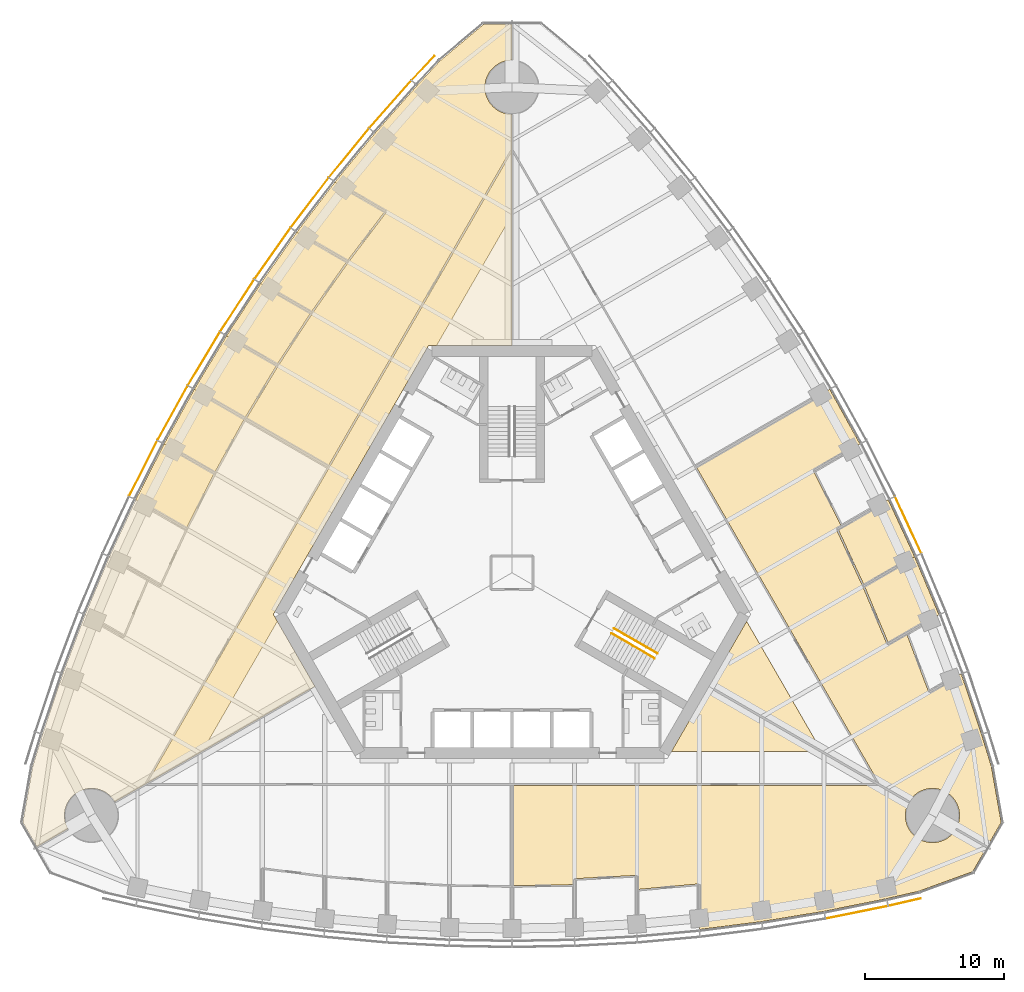
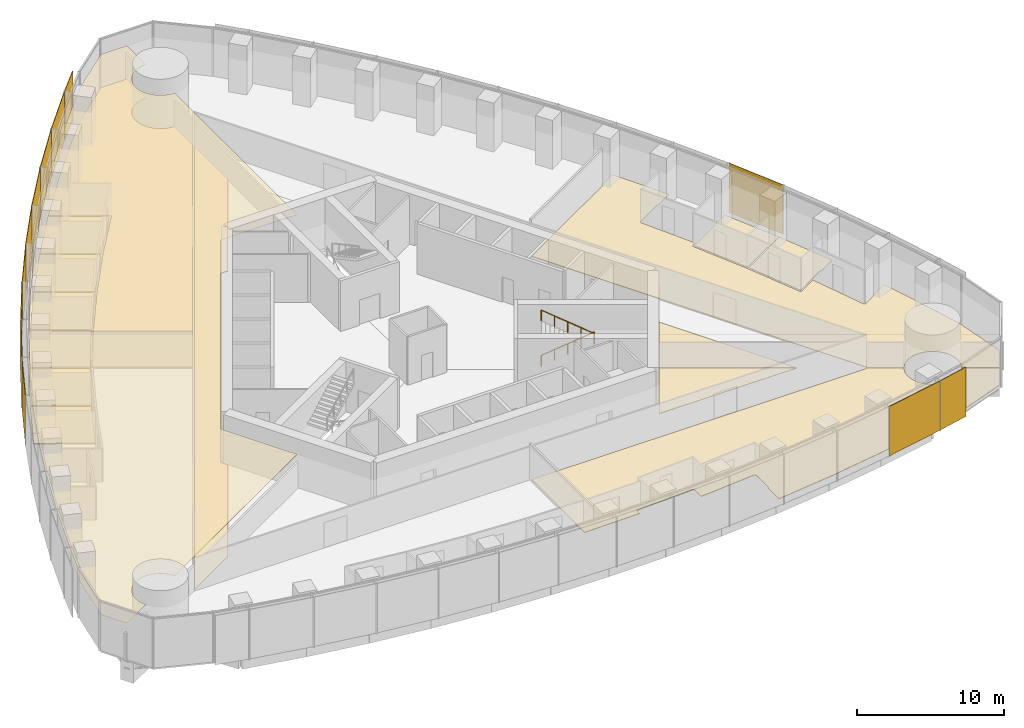
# One storey, part 16 of 19: 15 coverings, 12 shading devices, 2 railings.
"""IFC4 building model written with IfcOpenShell, lengths in metres."""

import ifcopenshell
import ifcopenshell.guid

model = None  # the IFC model being written
_history = None  # IfcOwnerHistory: only IFC2X3 demands one
_inside = {}  # id of a spatial element -> (the spatial element, [elements in it])
_under = {}  # id of a project, library or spatial element -> (it, [spatial elements below it])
_declared = {}  # id of a project -> (the project, [libraries it declares])
_typed = {}  # id of a type object -> (the type object, [elements of that type])
_made_of = {}  # id of a material, layer set ... -> (it, [elements and type objects made of it])


def new_model(schema):
    """Start an empty IFC model of exactly this schema.

    Asked for "IFC4X3", IfcOpenShell would pick the latest addendum, in which some entities
    have other attributes; the version numbers below select the first issue.
    IFC2X3 requires an IfcOwnerHistory on every rooted entity: one is made here for all.
    """
    global model, _history
    if schema == "IFC4X3":
        model = ifcopenshell.file(schema_version=(4, 3, 0, 0))
    else:
        model = ifcopenshell.file(schema=schema)
    _inside.clear()
    _under.clear()
    _declared.clear()
    _typed.clear()
    _made_of.clear()
    _history = None
    if model.schema == "IFC2X3":
        org = make("IfcOrganization", Name="unknown")
        user = make(
            "IfcPersonAndOrganization",
            ThePerson=make("IfcPerson", FamilyName="unknown"),
            TheOrganization=org,
        )
        app = make(
            "IfcApplication",
            ApplicationDeveloper=org,
            Version="unknown",
            ApplicationFullName="unknown",
            ApplicationIdentifier="unknown",
        )
        _history = make(
            "IfcOwnerHistory",
            OwningUser=user,
            OwningApplication=app,
            ChangeAction="ADDED",
            CreationDate=0,
        )
    return model


def make(cls, **values):
    """One entity of the class cls with the attributes given. An attribute that is None is left unset."""
    return model.create_entity(
        cls, **{name: value for name, value in values.items() if value is not None}
    )


def rooted(cls, **values):
    """An entity with a GlobalId (a new one), such as an element, a storey or a relation."""
    return make(cls, GlobalId=ifcopenshell.guid.new(), OwnerHistory=_history, **values)


def si_unit(unit_type, name, prefix=None):
    """IfcSIUnit, for example si_unit("LENGTHUNIT", "METRE", prefix="MILLI")."""
    return make("IfcSIUnit", UnitType=unit_type, Prefix=prefix, Name=name)


def assignment(units):
    """IfcUnitAssignment: the units of a project."""
    return None if units is None else make("IfcUnitAssignment", Units=units)


def point(xyz):
    """IfcCartesianPoint."""
    return None if xyz is None else make("IfcCartesianPoint", Coordinates=xyz)


def direction(xyz):
    """IfcDirection."""
    return None if xyz is None else make("IfcDirection", DirectionRatios=xyz)


def frame(location, z_axis=None, x_axis=None):
    """IfcAxis2Placement3D, a coordinate frame: its origin and axes. An axis left out is left unset."""
    return make(
        "IfcAxis2Placement3D",
        Location=point(location),
        Axis=direction(z_axis),
        RefDirection=direction(x_axis),
    )


def frame_2d(location, x_axis=None):
    """IfcAxis2Placement2D, a coordinate frame in the plane: its origin and x axis."""
    return make(
        "IfcAxis2Placement2D", Location=point(location), RefDirection=direction(x_axis)
    )


def origin():
    """The frame at (0, 0, 0) with its axes left unset."""
    return frame((0.0, 0.0, 0.0))


def origin_2d():
    """The frame at (0, 0) in the plane with its x axis left unset."""
    return frame_2d((0.0, 0.0))


def place(relative_to, where):
    """IfcLocalPlacement: puts the frame where relative to a parent placement (None: the world)."""
    return make(
        "IfcLocalPlacement", PlacementRelTo=relative_to, RelativePlacement=where
    )


def context(
    kind, dimensions, precision=None, world=None, true_north=None, identifier=None
):
    """IfcGeometricRepresentationContext, for example the 3D "Model" context."""
    return make(
        "IfcGeometricRepresentationContext",
        ContextIdentifier=identifier,
        ContextType=kind,
        CoordinateSpaceDimension=dimensions,
        Precision=precision,
        WorldCoordinateSystem=world,
        TrueNorth=true_north,
    )


def subcontext(parent, identifier, kind, view, scale=None):
    """IfcGeometricRepresentationSubContext, for example "Body" below "Model"."""
    return make(
        "IfcGeometricRepresentationSubContext",
        ContextIdentifier=identifier,
        ContextType=kind,
        ParentContext=parent,
        TargetScale=scale,
        TargetView=view,
    )


def project(units=None, contexts=None):
    """IfcProject with its units and contexts."""
    return rooted(
        "IfcProject",
        Name="project",
        RepresentationContexts=contexts,
        UnitsInContext=assignment(units),
    )


def spatial(cls, under=None, at=None, **own):
    """A site, building, storey or space (cls), placed at a placement, below another one or the project."""
    s = rooted(cls, ObjectPlacement=at, **own)
    if under is not None:
        _under.setdefault(under.id(), (under, []))[1].append(s)
    return s


def polyline(points):
    """IfcPolyline through the points."""
    return make("IfcPolyline", Points=[point(p) for p in points])


def profile(cls, at=None, kind="AREA", **sizes):
    """A parametric profile (cls). Its sizes go by their IFC names, for example OverallWidth=200.0."""
    return make(cls, ProfileType=kind, Position=at, **sizes)


def rectangle(**sizes):
    """IfcRectangleProfileDef."""
    return profile("IfcRectangleProfileDef", **sizes)


def circle(**sizes):
    """IfcCircleProfileDef."""
    return profile("IfcCircleProfileDef", **sizes)


def outline(outer, holes=None, kind="AREA"):
    """IfcArbitraryClosedProfileDef: a profile drawn as a closed curve; with holes, ...WithVoids."""
    if holes is None:
        return make("IfcArbitraryClosedProfileDef", ProfileType=kind, OuterCurve=outer)
    return make(
        "IfcArbitraryProfileDefWithVoids",
        ProfileType=kind,
        OuterCurve=outer,
        InnerCurves=holes,
    )


def extrude(swept, where, along, depth):
    """IfcExtrudedAreaSolid: the profile swept, set in the frame where, extruded along a direction by depth."""
    return make(
        "IfcExtrudedAreaSolid",
        SweptArea=swept,
        Position=where,
        ExtrudedDirection=direction(along),
        Depth=depth,
    )


def shape(context_of_items, identifier, shape_type, items):
    """IfcShapeRepresentation: the items that make up one representation, for example the "Body"."""
    return make(
        "IfcShapeRepresentation",
        ContextOfItems=context_of_items,
        RepresentationIdentifier=identifier,
        RepresentationType=shape_type,
        Items=items,
    )


def material(Name=None, Category=None):
    """IfcMaterial."""
    return make("IfcMaterial", Name=Name, Category=Category)


def layer(
    of_material, thickness, ventilated=None, Name=None, Category=None, Priority=None
):
    """IfcMaterialLayer: one layer of a wall or slab, of a material (None: an air gap)."""
    return make(
        "IfcMaterialLayer",
        Material=of_material,
        LayerThickness=thickness,
        IsVentilated=ventilated,
        Name=Name,
        Category=Category,
        Priority=Priority,
    )


def layer_set(layers, Name=None):
    """IfcMaterialLayerSet."""
    return make("IfcMaterialLayerSet", MaterialLayers=layers, LayerSetName=Name)


def made_of(thing, what):
    """Note that an element or type object is made of a material, layer set ...; save() writes the relation."""
    if what is not None:
        _made_of.setdefault(what.id(), (what, []))[1].append(thing)
    return thing


def type_object(cls, material=None, **own):
    """A type object (cls), such as IfcWallType, which elements share."""
    return made_of(rooted(cls, **own), material)


def element(
    cls,
    number,
    at=None,
    inside=None,
    cuts=None,
    type_object=None,
    material=None,
    context=None,
    identifier="Body",
    shape_type=None,
    held_by="IfcProductDefinitionShape",
    body=None,
    shapes=None,
    **own,
):
    """One element of the class cls, such as IfcWall. Its Tag is "e" and its number.

    at: its placement. inside: the storey or other place that contains it. cuts: it is an
    opening in that element (IfcRelVoidsElement). A single representation is given by context,
    identifier, shape_type and body (its items); several are given by shapes. held_by: the class
    of the entity that holds the representations. save() writes the other relations.
    """
    e = rooted(cls, Tag="e%d" % number, ObjectPlacement=at, **own)
    if body is not None:
        shapes = [shape(context, identifier, shape_type, body)]
    if shapes is not None:
        e.Representation = make(held_by, Representations=shapes)
    if inside is not None:
        _inside.setdefault(inside.id(), (inside, []))[1].append(e)
    if cuts is not None:
        rooted(
            "IfcRelVoidsElement", RelatingBuildingElement=cuts, RelatedOpeningElement=e
        )
    if type_object is not None:
        _typed.setdefault(type_object.id(), (type_object, []))[1].append(e)
    return made_of(e, material)


def aggregate(whole, parts):
    """IfcRelAggregates: a whole, such as a stair, and the parts it consists of."""
    return rooted("IfcRelAggregates", RelatingObject=whole, RelatedObjects=parts)


def save(model, path):
    """Write the relations noted so far, then the file.

    IfcRelAggregates (storeys below a building ...), IfcRelContainedInSpatialStructure (elements
    in a storey), IfcRelDefinesByType, IfcRelAssociatesMaterial and IfcRelDeclares: one each for
    every whole, place, type object, material and project.
    """
    for whole, parts in _under.values():
        aggregate(whole, parts)
    for where, things in _inside.values():
        rooted(
            "IfcRelContainedInSpatialStructure",
            RelatedElements=things,
            RelatingStructure=where,
        )
    for kind, things in _typed.values():
        rooted("IfcRelDefinesByType", RelatedObjects=things, RelatingType=kind)
    for what, things in _made_of.values():
        rooted("IfcRelAssociatesMaterial", RelatedObjects=things, RelatingMaterial=what)
    for by, libraries in _declared.values():
        rooted("IfcRelDeclares", RelatingContext=by, RelatedDefinitions=libraries)
    model.write(path)


model = new_model("IFC4")

# Units and contexts
model_context = context("Model", 3, precision=1e-05, world=origin(), true_north=direction((0.0, 1.0)))
body_context = subcontext(model_context, "Body", "Model", "MODEL_VIEW")
ifc_project = project(units=[si_unit("LENGTHUNIT", "METRE"), si_unit("AREAUNIT", "SQUARE_METRE"), si_unit("VOLUMEUNIT", "CUBIC_METRE"), si_unit("PLANEANGLEUNIT", "RADIAN"), si_unit("MASSUNIT", "GRAM", prefix="KILO")], contexts=[model_context])

# Site, building, storey
site_placement = place(None, origin())
site = spatial("IfcSite", under=ifc_project, at=site_placement, CompositionType="ELEMENT")
building_placement = place(site_placement, origin())
building = spatial("IfcBuilding", under=site, at=building_placement, Name="Trefoil Bronze Tower", CompositionType="ELEMENT")
storey_placement = place(building_placement, frame((0.0, 0.0, 128.300048828125)))
storey = spatial("IfcBuildingStorey", under=building, at=storey_placement, Name="L29", CompositionType="ELEMENT", Elevation=128.300048828125)

# Shading devices
ifc_material_1 = material(Name="Perforated bronze sheet", Category="bronze")
ifc_layer_1 = layer(ifc_material_1, 0.0400390625)
ifc_layer_set_1 = layer_set([ifc_layer_1], Name="Bronze solar screen panel")
shading_device_type = type_object("IfcShadingDeviceType", Name="Bronze solar screen panel", PredefinedType="SHUTTER", material=ifc_layer_set_1)
shading_device_1_placement = place(storey_placement, frame((24.85693359375, -24.480224609375, 0.0498046875), z_axis=(0.0, 0.0, 1.0), x_axis=(0.980155155547, 0.198231861853, 0.0)))
element("IfcShadingDevice", 1, at=shading_device_1_placement, inside=storey, type_object=shading_device_type, Name="Solar screen CW-A L29 F1 bay 13", PredefinedType="SHUTTER", context=body_context, shape_type="SweptSolid", body=[
    extrude(rectangle(XDim=4.56103515625, YDim=0.0400390625, at=origin_2d()), origin(), (0.0, 0.0, 1.0), 4.10009765625),
])
shading_device_2_placement = place(storey_placement, frame((28.30078125, -23.748779296875, 0.0498046875), z_axis=(0.0, 0.0, 1.0), x_axis=(0.97420444715, 0.225667222151, 0.0)))
element("IfcShadingDevice", 2, at=shading_device_2_placement, inside=storey, type_object=shading_device_type, Name="Solar screen CW-A L29 F1 bay 14", PredefinedType="SHUTTER", context=body_context, shape_type="SweptSolid", body=[
    extrude(rectangle(XDim=2.39013671875, YDim=0.0400390625, at=origin_2d()), origin(), (0.0, 0.0, 1.0), 4.10009765625),
])
shading_device_3_placement = place(storey_placement, frame((28.563720703125, 3.444580078125, 0.0498046875), z_axis=(0.0, 0.0, 1.0), x_axis=(-0.419932995871, 0.907555110712, 0.0)))
element("IfcShadingDevice", 3, at=shading_device_3_placement, inside=storey, type_object=shading_device_type, Name="Solar screen CW-A L29 F2 bay 5", PredefinedType="SHUTTER", context=body_context, shape_type="SweptSolid", body=[
    extrude(rectangle(XDim=4.48828125, YDim=0.0400390625, at=origin_2d()), origin(), (0.0, 0.0, 1.0), 4.10009765625),
])
shading_device_4_placement = place(storey_placement, frame((-6.416748046875, 36.383544921875, 0.0498046875), z_axis=(0.0, 0.0, 1.0), x_axis=(-0.682535770759, -0.730852188636, 0.0)))
element("IfcShadingDevice", 4, at=shading_device_4_placement, inside=storey, type_object=shading_device_type, Name="Solar screen CW-A L29 F3 bay 1", PredefinedType="SHUTTER", context=body_context, shape_type="SweptSolid", body=[
    extrude(rectangle(XDim=2.39013671875, YDim=0.0400390625, at=origin_2d()), origin(), (0.0, 0.0, 1.0), 4.10009765625),
])
shading_device_5_placement = place(storey_placement, frame((-8.77197265625, 33.766845703125, 0.0498046875), z_axis=(0.0, 0.0, 1.0), x_axis=(-0.661751405978, -0.749723333428, 0.0)))
element("IfcShadingDevice", 5, at=shading_device_5_placement, inside=storey, type_object=shading_device_type, Name="Solar screen CW-A L29 F3 bay 2", PredefinedType="SHUTTER", context=body_context, shape_type="SweptSolid", body=[
    extrude(rectangle(XDim=4.56103515625, YDim=0.0400390625, at=origin_2d()), origin(), (0.0, 0.0, 1.0), 4.10009765625),
])
shading_device_6_placement = place(storey_placement, frame((-11.7490234375, 30.26708984375, 0.0498046875), z_axis=(0.0, 0.0, 1.0), x_axis=(-0.633839916024, -0.773464259584, 0.0)))
element("IfcShadingDevice", 6, at=shading_device_6_placement, inside=storey, type_object=shading_device_type, Name="Solar screen CW-A L29 F3 bay 3", PredefinedType="SHUTTER", context=body_context, shape_type="SweptSolid", body=[
    extrude(rectangle(XDim=4.5302734375, YDim=0.0400390625, at=origin_2d()), origin(), (0.0, 0.0, 1.0), 4.10009765625),
])
shading_device_7_placement = place(storey_placement, frame((-14.579345703125, 26.6826171875, 0.0498046875), z_axis=(0.0, 0.0, 1.0), x_axis=(-0.605252319983, -0.796033685943, 0.0)))
element("IfcShadingDevice", 7, at=shading_device_7_placement, inside=storey, type_object=shading_device_type, Name="Solar screen CW-A L29 F3 bay 4", PredefinedType="SHUTTER", context=body_context, shape_type="SweptSolid", body=[
    extrude(rectangle(XDim=4.50634765625, YDim=0.0400390625, at=origin_2d()), origin(), (0.0, 0.0, 1.0), 4.10009765625),
])
shading_device_8_placement = place(storey_placement, frame((-17.264892578125, 23.014404296875, 0.0498046875), z_axis=(0.0, 0.0, 1.0), x_axis=(-0.575999283275, -0.817450197667, 0.0)))
element("IfcShadingDevice", 8, at=shading_device_8_placement, inside=storey, type_object=shading_device_type, Name="Solar screen CW-A L29 F3 bay 5", PredefinedType="SHUTTER", context=body_context, shape_type="SweptSolid", body=[
    extrude(rectangle(XDim=4.48828125, YDim=0.0400390625, at=origin_2d()), origin(), (0.0, 0.0, 1.0), 4.10009765625),
])
shading_device_9_placement = place(storey_placement, frame((-19.8076171875, 19.263916015625, 0.0498046875), z_axis=(0.0, 0.0, 1.0), x_axis=(-0.546088612237, -0.837727418427, 0.0)))
element("IfcShadingDevice", 9, at=shading_device_9_placement, inside=storey, type_object=shading_device_type, Name="Solar screen CW-A L29 F3 bay 6", PredefinedType="SHUTTER", context=body_context, shape_type="SweptSolid", body=[
    extrude(rectangle(XDim=4.4765625, YDim=0.0400390625, at=origin_2d()), origin(), (0.0, 0.0, 1.0), 4.10009765625),
])
for number, where, z_axis, x_axis, name in (
    (10, (-22.208740234375, 15.431396484375, 0.0498046875), (0.0, 0.0, 1.0), (-0.515525413486, -0.856874289526, 0.0), "Solar screen CW-A L29 F3 bay 7"),
    (11, (-24.468505859375, 11.517578125, 0.0498046875), (0.0, 0.0, 1.0), (-0.484312195836, -0.874895249138, 0.0), "Solar screen CW-A L29 F3 bay 8"),
):
    element("IfcShadingDevice", number, at=place(storey_placement, frame(where, z_axis=z_axis, x_axis=x_axis)), inside=storey, type_object=shading_device_type, Name=name, PredefinedType="SHUTTER", context=body_context, shape_type="SweptSolid", body=[
        extrude(rectangle(XDim=4.470703125, YDim=0.0400390625, at=origin_2d()), origin(), (0.0, 0.0, 1.0), 4.10009765625),
    ])
shading_device_10_placement = place(storey_placement, frame((-26.5869140625, 7.52197265625, 0.0498046875), z_axis=(0.0, 0.0, 1.0), x_axis=(-0.452448919686, -0.891790320128, 0.0)))
element("IfcShadingDevice", 12, at=shading_device_10_placement, inside=storey, type_object=shading_device_type, Name="Solar screen CW-A L29 F3 bay 9", PredefinedType="SHUTTER", context=body_context, shape_type="SweptSolid", body=[
    extrude(rectangle(XDim=4.4765625, YDim=0.0400390625, at=origin_2d()), origin(), (0.0, 0.0, 1.0), 4.10009765625),
])

# Railings
ifc_material_2 = material(Name="Steel handrail", Category="steel")
railing_type = type_object("IfcRailingType", Name="Handrail 900", PredefinedType="HANDRAIL", material=ifc_material_2)
railing_1_placement = place(storey_placement, frame((7.365966796875, -4.021728515625, 0.161376953125)))
element("IfcRailing", 13, at=railing_1_placement, inside=storey, type_object=railing_type, Name="Handrail ST1 flight 1 L29", PredefinedType="HANDRAIL", context=body_context, shape_type="SweptSolid", body=[
    extrude(circle(Radius=0.02392578125, at=origin_2d()), frame((0.0, 0.0, 0.8759765625), z_axis=(0.76250339821, -0.440245697338, 0.474101564745), x_axis=(0.500012057535, 0.866018442252, 0.0)), (0.0, 0.0, 1.0), 4.088623046875),
    extrude(circle(Radius=0.02099609375, at=origin_2d()), origin(), (0.0, 0.0, 1.0), 0.851806640625),
    extrude(circle(Radius=0.02099609375, at=origin_2d()), frame((0.779296875, -0.449951171875, 0.484619140625)), (0.0, 0.0, 1.0), 0.851806640625),
    extrude(circle(Radius=0.02099609375, at=origin_2d()), frame((1.558837890625, -0.89990234375, 0.96923828125)), (0.0, 0.0, 1.0), 0.851806640625),
    extrude(circle(Radius=0.02099609375, at=origin_2d()), frame((2.33837890625, -1.35009765625, 1.453857421875)), (0.0, 0.0, 1.0), 0.851806640625),
    extrude(circle(Radius=0.02099609375, at=origin_2d()), frame((3.11767578125, -1.800048828125, 1.9384765625)), (0.0, 0.0, 1.0), 0.851806640625),
])
railing_2_placement = place(storey_placement, frame((10.28369140625, -6.168212890625, 2.261474609375)))
element("IfcRailing", 14, at=railing_2_placement, inside=storey, type_object=railing_type, Name="Handrail ST1 flight 2 L29", PredefinedType="HANDRAIL", context=body_context, shape_type="SweptSolid", body=[
    extrude(circle(Radius=0.02392578125, at=origin_2d()), frame((0.0, 0.0, 0.8759765625), z_axis=(-0.76250339821, 0.440245697338, 0.474101564745), x_axis=(-0.500012057535, -0.866018442252, 0.0)), (0.0, 0.0, 1.0), 4.088623046875),
    extrude(circle(Radius=0.02099609375, at=origin_2d()), origin(), (0.0, 0.0, 1.0), 0.851806640625),
    extrude(circle(Radius=0.02099609375, at=origin_2d()), frame((-0.779296875, 0.449951171875, 0.484619140625)), (0.0, 0.0, 1.0), 0.851806640625),
    extrude(circle(Radius=0.02099609375, at=origin_2d()), frame((-1.558837890625, 0.89990234375, 0.96923828125)), (0.0, 0.0, 1.0), 0.851806640625),
    extrude(circle(Radius=0.02099609375, at=origin_2d()), frame((-2.33837890625, 1.35009765625, 1.453857421875)), (0.0, 0.0, 1.0), 0.851806640625),
    extrude(circle(Radius=0.02099609375, at=origin_2d()), frame((-3.11767578125, 1.800048828125, 1.9384765625)), (0.0, 0.0, 1.0), 0.851806640625),
])

# Coverings
ifc_material_3 = material(Name="Acoustic ceiling panels", Category="mineral fibre")
ifc_layer_2 = layer(ifc_material_3, 0.02001953125)
ifc_layer_set_2 = layer_set([ifc_layer_2], Name="Office ceiling 20")
covering_type_1 = type_object("IfcCoveringType", Name="Office ceiling 20", PredefinedType="CEILING", material=ifc_layer_set_2)
covering_1_placement = place(storey_placement, frame((0.0, 0.0, 2.89990234375)))
element("IfcCovering", 15, at=covering_1_placement, inside=storey, type_object=covering_type_1, Name="Ceiling L29 Open-plan office F3", PredefinedType="CEILING", context=body_context, shape_type="SweptSolid", body=[
    extrude(outline(polyline([(-33.847900390625, -11.634765625), (-32.385986328125, -7.28271484375), (-30.776611328125, -3.015625), (-29.022216796875, 1.16748046875), (-27.124755859375, 5.268310546875), (-25.085693359375, 9.287109375), (-22.906005859375, 13.224853515625), (-20.585693359375, 17.081298828125), (-18.124755859375, 20.856689453125), (-15.522216796875, 24.55029296875), (-12.776611328125, 28.1611328125), (-9.885986328125, 31.6884765625), (-6.847900390625, 35.130615234375), (-5.1962890625, 36.8994140625), (-2.052001953125, 39.53759765625), (-0.014892578125, 39.53759765625), (-0.013916015625, 36.94970703125), (-0.095703125, 36.94775390625), (-0.191162109375, 36.940673828125), (-0.2861328125, 36.928955078125), (-0.38037109375, 36.91259765625), (-0.473876953125, 36.8916015625), (-0.566162109375, 36.865966796875), (-0.656982421875, 36.8359375), (-0.74609375, 36.801513671875), (-0.833740234375, 36.7626953125), (-0.919189453125, 36.7197265625), (-1.00244140625, 36.672607421875), (-1.08349609375, 36.621337890625), (-1.16162109375, 36.56640625), (-1.237060546875, 36.50732421875), (-1.3095703125, 36.44482421875), (-1.37890625, 36.37890625), (-1.44482421875, 36.3095703125), (-1.50732421875, 36.237060546875), (-1.56640625, 36.16162109375), (-1.621337890625, 36.08349609375), (-1.672607421875, 36.00244140625), (-1.7197265625, 35.919189453125), (-1.7626953125, 35.833740234375), (-1.801513671875, 35.74609375), (-1.8359375, 35.656982421875), (-1.865966796875, 35.566162109375), (-1.8916015625, 35.473876953125), (-1.91259765625, 35.38037109375), (-1.928955078125, 35.2861328125), (-1.940673828125, 35.191162109375), (-1.94775390625, 35.095703125), (-1.949951171875, 35.0), (-1.94775390625, 34.904296875), (-1.940673828125, 34.808837890625), (-1.928955078125, 34.7138671875), (-1.91259765625, 34.61962890625), (-1.8916015625, 34.526123046875), (-1.865966796875, 34.433837890625), (-1.8359375, 34.343017578125), (-1.801513671875, 34.25390625), (-1.7626953125, 34.166259765625), (-1.7197265625, 34.080810546875), (-1.672607421875, 33.99755859375), (-1.621337890625, 33.91650390625), (-1.56640625, 33.83837890625), (-1.50732421875, 33.762939453125), (-1.44482421875, 33.6904296875), (-1.37890625, 33.62109375), (-1.3095703125, 33.55517578125), (-1.237060546875, 33.49267578125), (-1.16162109375, 33.43359375), (-1.08349609375, 33.378662109375), (-1.00244140625, 33.327392578125), (-0.919189453125, 33.2802734375), (-0.833740234375, 33.2373046875), (-0.74609375, 33.198486328125), (-0.656982421875, 33.1640625), (-0.566162109375, 33.134033203125), (-0.473876953125, 33.1083984375), (-0.38037109375, 33.08740234375), (-0.2861328125, 33.071044921875), (-0.191162109375, 33.059326171875), (-0.095703125, 33.05224609375), (-0.012451171875, 33.05029296875), (-0.006103515625, 16.39990234375), (-6.00439453125, 16.39990234375), (-17.205078125, -3.0), (-14.205810546875, -8.194580078125), (-28.628662109375, -16.514404296875), (-28.689453125, -16.41650390625), (-28.74462890625, -16.33837890625), (-28.803466796875, -16.262939453125), (-28.865966796875, -16.1904296875), (-28.931884765625, -16.12109375), (-29.001220703125, -16.05517578125), (-29.07373046875, -15.99267578125), (-29.1494140625, -15.93359375), (-29.2275390625, -15.878662109375), (-29.308349609375, -15.827392578125), (-29.3916015625, -15.7802734375), (-29.477294921875, -15.7373046875), (-29.564697265625, -15.698486328125), (-29.654052734375, -15.6640625), (-29.744873046875, -15.634033203125), (-29.837158203125, -15.6083984375), (-29.930419921875, -15.58740234375), (-30.02490234375, -15.571044921875), (-30.119873046875, -15.559326171875), (-30.215087890625, -15.55224609375), (-30.310791015625, -15.550048828125), (-30.406494140625, -15.55224609375), (-30.501953125, -15.559326171875), (-30.596923828125, -15.571044921875), (-30.69140625, -15.58740234375), (-30.78466796875, -15.6083984375), (-30.876953125, -15.634033203125), (-30.9677734375, -15.6640625), (-31.05712890625, -15.698486328125), (-31.14453125, -15.7373046875), (-31.22998046875, -15.7802734375), (-31.3134765625, -15.827392578125), (-31.394287109375, -15.878662109375), (-31.472412109375, -15.93359375), (-31.548095703125, -15.99267578125), (-31.620361328125, -16.05517578125), (-31.689697265625, -16.12109375), (-31.755615234375, -16.1904296875), (-31.818359375, -16.262939453125), (-31.877197265625, -16.33837890625), (-31.932373046875, -16.41650390625), (-31.9833984375, -16.49755859375), (-32.030517578125, -16.580810546875), (-32.07373046875, -16.666259765625), (-32.112548828125, -16.75390625), (-32.14697265625, -16.843017578125), (-32.177001953125, -16.933837890625), (-32.202392578125, -17.026123046875), (-32.223388671875, -17.11962890625), (-32.23974609375, -17.2138671875), (-32.25146484375, -17.308837890625), (-32.258544921875, -17.404296875), (-32.260986328125, -17.5), (-32.258544921875, -17.595703125), (-32.25146484375, -17.691162109375), (-32.23974609375, -17.7861328125), (-32.223388671875, -17.88037109375), (-32.202392578125, -17.973876953125), (-32.177001953125, -18.066162109375), (-32.14697265625, -18.156982421875), (-32.112548828125, -18.24609375), (-32.07373046875, -18.333740234375), (-32.030517578125, -18.419189453125), (-32.006103515625, -18.462646484375), (-34.247802734375, -19.755859375), (-35.2666015625, -17.99169921875), (-34.5537109375, -13.94970703125), (-33.847900390625, -11.634765625)])), origin(), (0.0, 0.0, 1.0), 0.02001953125),
])
ifc_material_4 = material(Name="Raised access floor panels", Category="steel")
ifc_layer_3 = layer(ifc_material_4, 0.050048828125)
ifc_layer_set_3 = layer_set([ifc_layer_3], Name="Raised access floor 150")
covering_type_2 = type_object("IfcCoveringType", Name="Raised access floor 150", PredefinedType="FLOORING", material=ifc_layer_set_3)
covering_2_placement = place(storey_placement, frame((0.0, 0.0, 0.099853515625)))
element("IfcCovering", 16, at=covering_2_placement, inside=storey, type_object=covering_type_2, Name="Raised floor L29 Open-plan office F1", PredefinedType="FLOORING", context=body_context, shape_type="SweptSolid", body=[
    extrude(outline(polyline([(13.5, -24.22900390625), (13.56005859375, -24.22900390625), (13.56005859375, -22.48779296875), (13.5, -22.48779296875), (13.49462890625, -22.427978515625), (9.06005859375, -22.829345703125), (9.06005859375, -21.875), (9.0, -21.875), (8.996826171875, -21.81494140625), (4.496826171875, -22.05859375), (4.5, -22.11865234375), (4.43994140625, -22.11865234375), (4.43994140625, -22.484619140625), (0.074951171875, -22.563232421875), (0.074951171875, -15.320068359375), (26.398193359375, -15.320068359375), (26.398193359375, -15.254150390625), (28.616455078125, -16.535888671875), (28.591064453125, -16.580810546875), (28.548095703125, -16.666259765625), (28.50927734375, -16.75390625), (28.474853515625, -16.843017578125), (28.44482421875, -16.933837890625), (28.419189453125, -17.026123046875), (28.3984375, -17.11962890625), (28.382080078125, -17.2138671875), (28.370361328125, -17.308837890625), (28.36328125, -17.404296875), (28.36083984375, -17.5), (28.36328125, -17.595703125), (28.370361328125, -17.691162109375), (28.382080078125, -17.7861328125), (28.3984375, -17.88037109375), (28.419189453125, -17.973876953125), (28.44482421875, -18.066162109375), (28.474853515625, -18.156982421875), (28.50927734375, -18.24609375), (28.548095703125, -18.333740234375), (28.591064453125, -18.419189453125), (28.63818359375, -18.50244140625), (28.689453125, -18.58349609375), (28.74462890625, -18.66162109375), (28.803466796875, -18.737060546875), (28.865966796875, -18.8095703125), (28.931884765625, -18.87890625), (29.001220703125, -18.94482421875), (29.07373046875, -19.00732421875), (29.1494140625, -19.06640625), (29.2275390625, -19.121337890625), (29.308349609375, -19.172607421875), (29.3916015625, -19.2197265625), (29.477294921875, -19.2626953125), (29.564697265625, -19.301513671875), (29.654052734375, -19.3359375), (29.744873046875, -19.365966796875), (29.837158203125, -19.3916015625), (29.930419921875, -19.41259765625), (30.02490234375, -19.428955078125), (30.119873046875, -19.440673828125), (30.215087890625, -19.44775390625), (30.310791015625, -19.449951171875), (30.406494140625, -19.44775390625), (30.501953125, -19.440673828125), (30.596923828125, -19.428955078125), (30.69140625, -19.41259765625), (30.78466796875, -19.3916015625), (30.876953125, -19.365966796875), (30.9677734375, -19.3359375), (31.05712890625, -19.301513671875), (31.14453125, -19.2626953125), (31.22998046875, -19.2197265625), (31.3134765625, -19.172607421875), (31.394287109375, -19.121337890625), (31.472412109375, -19.06640625), (31.548095703125, -19.00732421875), (31.620361328125, -18.94482421875), (31.689697265625, -18.87890625), (31.755615234375, -18.8095703125), (31.818359375, -18.737060546875), (31.877197265625, -18.66162109375), (31.932373046875, -18.58349609375), (31.992431640625, -18.48681640625), (34.233154296875, -19.781494140625), (33.21435546875, -21.5458984375), (29.357666015625, -22.94970703125), (27.0, -23.495849609375), (22.5, -24.406005859375), (18.0, -25.1455078125), (13.5, -25.7177734375), (13.5, -24.22900390625)])), origin(), (0.0, 0.0, 1.0), 0.050048828125),
])
covering_3_placement = place(storey_placement, frame((0.0, 0.0, 0.099853515625)))
element("IfcCovering", 17, at=covering_3_placement, inside=storey, type_object=covering_type_2, Name="Raised floor L29 Open-plan office F1", PredefinedType="FLOORING", context=body_context, shape_type="SweptSolid", body=[
    extrude(outline(polyline([(11.4892578125, -12.89990234375), (14.19970703125, -8.205322265625), (22.32421875, -12.89990234375), (11.4892578125, -12.89990234375)])), origin(), (0.0, 0.0, 1.0), 0.050048828125),
])
covering_4_placement = place(storey_placement, frame((0.0, 0.0, 0.099853515625)))
element("IfcCovering", 18, at=covering_4_placement, inside=storey, type_object=covering_type_2, Name="Raised floor L29 Meeting room F2", PredefinedType="FLOORING", context=body_context, shape_type="SweptSolid", body=[
    extrude(outline(polyline([(27.124755859375, 5.268310546875), (29.022216796875, 1.16748046875), (27.73291015625, 0.423095703125), (27.702880859375, 0.47509765625), (25.368408203125, -0.87255859375), (23.521728515625, 3.11865234375), (25.869873046875, 4.474365234375), (25.83984375, 4.5263671875), (27.124755859375, 5.268310546875)])), origin(), (0.0, 0.0, 1.0), 0.050048828125),
])
covering_5_placement = place(storey_placement, frame((0.0, 0.0, 0.099853515625)))
element("IfcCovering", 19, at=covering_5_placement, inside=storey, type_object=covering_type_2, Name="Raised floor L29 Meeting room F2", PredefinedType="FLOORING", context=body_context, shape_type="SweptSolid", body=[
    extrude(outline(polyline([(29.022216796875, 1.16748046875), (30.776611328125, -3.015625), (29.4814453125, -3.763427734375), (29.451416015625, -3.71142578125), (27.125, -5.0546875), (25.41748046875, -0.98291015625), (27.762939453125, 0.371337890625), (27.73291015625, 0.423095703125), (29.022216796875, 1.16748046875)])), origin(), (0.0, 0.0, 1.0), 0.050048828125),
])
covering_6_placement = place(storey_placement, frame((0.0, 0.0, 0.099853515625)))
element("IfcCovering", 20, at=covering_6_placement, inside=storey, type_object=covering_type_2, Name="Raised floor L29 Open-plan office F2", PredefinedType="FLOORING", context=body_context, shape_type="SweptSolid", body=[
    extrude(outline(polyline([(14.205810546875, -8.194580078125), (16.91650390625, -3.5), (22.333740234375, -12.88330078125), (14.205810546875, -8.194580078125)])), origin(), (0.0, 0.0, 1.0), 0.050048828125),
])
covering_7_placement = place(storey_placement, frame((0.0, 0.0, 0.099853515625)))
element("IfcCovering", 21, at=covering_7_placement, inside=storey, type_object=covering_type_2, Name="Raised floor L29 Open-plan office F2", PredefinedType="FLOORING", context=body_context, shape_type="SweptSolid", body=[
    extrude(outline(polyline([(26.40966796875, -15.234375), (26.466552734375, -15.201416015625), (13.304931640625, 7.594970703125), (21.661865234375, 12.419921875), (21.625, 12.48388671875), (22.906494140625, 13.22412109375), (25.085693359375, 9.287109375), (23.80322265625, 8.546630859375), (23.773193359375, 8.5986328125), (21.743408203125, 7.426513671875), (21.773193359375, 7.374755859375), (21.7197265625, 7.347412109375), (23.733154296875, 3.37939453125), (23.414306640625, 3.1953125), (23.444091796875, 3.143310546875), (23.389892578125, 3.117919921875), (25.28662109375, -0.981689453125), (27.040771484375, -5.163818359375), (27.09619140625, -5.140625), (27.126220703125, -5.192626953125), (28.46337890625, -4.42041015625), (30.048095703125, -8.621337890625), (30.104248046875, -8.60009765625), (30.13427734375, -8.652099609375), (31.11328125, -8.0869140625), (31.083251953125, -8.034912109375), (32.385986328125, -7.28271484375), (33.847900390625, -11.634765625), (34.5537109375, -13.94970703125), (35.2666015625, -17.99169921875), (34.247802734375, -19.755859375), (32.006103515625, -18.462646484375), (32.030517578125, -18.419189453125), (32.07373046875, -18.333740234375), (32.112548828125, -18.24609375), (32.14697265625, -18.156982421875), (32.177001953125, -18.066162109375), (32.202392578125, -17.973876953125), (32.223388671875, -17.88037109375), (32.23974609375, -17.7861328125), (32.25146484375, -17.691162109375), (32.258544921875, -17.595703125), (32.260986328125, -17.5), (32.258544921875, -17.404296875), (32.25146484375, -17.308837890625), (32.23974609375, -17.2138671875), (32.223388671875, -17.11962890625), (32.202392578125, -17.026123046875), (32.177001953125, -16.933837890625), (32.14697265625, -16.843017578125), (32.112548828125, -16.75390625), (32.07373046875, -16.666259765625), (32.030517578125, -16.580810546875), (31.9833984375, -16.49755859375), (31.932373046875, -16.41650390625), (31.877197265625, -16.33837890625), (31.818359375, -16.262939453125), (31.755615234375, -16.1904296875), (31.689697265625, -16.12109375), (31.620361328125, -16.05517578125), (31.548095703125, -15.99267578125), (31.472412109375, -15.93359375), (31.394287109375, -15.878662109375), (31.3134765625, -15.827392578125), (31.22998046875, -15.7802734375), (31.14453125, -15.7373046875), (31.05712890625, -15.698486328125), (30.9677734375, -15.6640625), (30.876953125, -15.634033203125), (30.78466796875, -15.6083984375), (30.69140625, -15.58740234375), (30.596923828125, -15.571044921875), (30.501953125, -15.559326171875), (30.406494140625, -15.55224609375), (30.310791015625, -15.550048828125), (30.215087890625, -15.55224609375), (30.119873046875, -15.559326171875), (30.02490234375, -15.571044921875), (29.930419921875, -15.58740234375), (29.837158203125, -15.6083984375), (29.744873046875, -15.634033203125), (29.654052734375, -15.6640625), (29.564697265625, -15.698486328125), (29.477294921875, -15.7373046875), (29.3916015625, -15.7802734375), (29.308349609375, -15.827392578125), (29.2275390625, -15.878662109375), (29.1494140625, -15.93359375), (29.07373046875, -15.99267578125), (29.001220703125, -16.05517578125), (28.931884765625, -16.12109375), (28.865966796875, -16.1904296875), (28.803466796875, -16.262939453125), (28.74462890625, -16.33837890625), (28.689453125, -16.41650390625), (28.628662109375, -16.514404296875), (26.40966796875, -15.234375)])), origin(), (0.0, 0.0, 1.0), 0.050048828125),
])
covering_8_placement = place(storey_placement, frame((0.0, 0.0, 0.099853515625)))
element("IfcCovering", 22, at=covering_8_placement, inside=storey, type_object=covering_type_2, Name="Raised floor L29 Office F3", PredefinedType="FLOORING", context=body_context, shape_type="SweptSolid", body=[
    extrude(outline(polyline([(-15.522216796875, 24.55029296875), (-12.776611328125, 28.1611328125), (-11.4814453125, 27.41357421875), (-11.511474609375, 27.361572265625), (-9.18505859375, 26.018310546875), (-11.857421875, 22.503662109375), (-14.202880859375, 23.85791015625), (-14.23291015625, 23.805908203125), (-15.522216796875, 24.55029296875)])), origin(), (0.0, 0.0, 1.0), 0.050048828125),
])
covering_9_placement = place(storey_placement, frame((0.0, 0.0, 0.099853515625)))
element("IfcCovering", 23, at=covering_9_placement, inside=storey, type_object=covering_type_2, Name="Raised floor L29 Office F3", PredefinedType="FLOORING", context=body_context, shape_type="SweptSolid", body=[
    extrude(outline(polyline([(-15.522216796875, 24.55029296875), (-14.23291015625, 23.805908203125), (-14.262939453125, 23.75390625), (-11.928466796875, 22.406005859375), (-14.461669921875, 18.81103515625), (-16.809814453125, 20.166748046875), (-16.83984375, 20.11474609375), (-18.124755859375, 20.856689453125), (-15.522216796875, 24.55029296875)])), origin(), (0.0, 0.0, 1.0), 0.050048828125),
])
covering_10_placement = place(storey_placement, frame((0.0, 0.0, 0.099853515625)))
element("IfcCovering", 24, at=covering_10_placement, inside=storey, type_object=covering_type_2, Name="Raised floor L29 Office F3", PredefinedType="FLOORING", context=body_context, shape_type="SweptSolid", body=[
    extrude(outline(polyline([(-18.124755859375, 20.856689453125), (-16.83984375, 20.11474609375), (-16.869873046875, 20.062744140625), (-14.529052734375, 18.71142578125), (-16.924560546875, 15.036865234375), (-19.273193359375, 16.392822265625), (-19.30322265625, 16.3408203125), (-20.585693359375, 17.081298828125), (-18.124755859375, 20.856689453125)])), origin(), (0.0, 0.0, 1.0), 0.050048828125),
])
covering_11_placement = place(storey_placement, frame((0.0, 0.0, 0.099853515625)))
element("IfcCovering", 25, at=covering_11_placement, inside=storey, type_object=covering_type_2, Name="Raised floor L29 Office F3", PredefinedType="FLOORING", context=body_context, shape_type="SweptSolid", body=[
    extrude(outline(polyline([(-22.906005859375, 13.224853515625), (-20.585693359375, 17.081298828125), (-19.30322265625, 16.3408203125), (-19.333251953125, 16.2890625), (-16.988037109375, 14.93505859375), (-19.23876953125, 11.194091796875), (-21.5869140625, 12.5498046875), (-21.62451171875, 12.48486328125), (-22.906005859375, 13.224853515625)])), origin(), (0.0, 0.0, 1.0), 0.050048828125),
])
covering_12_placement = place(storey_placement, frame((0.0, 0.0, 0.099853515625)))
element("IfcCovering", 26, at=covering_12_placement, inside=storey, type_object=covering_type_2, Name="Raised floor L29 Office F3", PredefinedType="FLOORING", context=body_context, shape_type="SweptSolid", body=[
    extrude(outline(polyline([(-25.085693359375, 9.287109375), (-22.906005859375, 13.224853515625), (-21.62451171875, 12.48486328125), (-21.661865234375, 12.419921875), (-19.313720703125, 11.064208984375), (-21.427978515625, 7.24462890625), (-23.773193359375, 8.5986328125), (-23.80322265625, 8.546630859375), (-25.085693359375, 9.287109375)])), origin(), (0.0, 0.0, 1.0), 0.050048828125),
])
covering_13_placement = place(storey_placement, frame((0.0, 0.0, 0.099853515625)))
element("IfcCovering", 27, at=covering_13_placement, inside=storey, type_object=covering_type_2, Name="Raised floor L29 Meeting room F3", PredefinedType="FLOORING", context=body_context, shape_type="SweptSolid", body=[
    extrude(outline(polyline([(-27.124755859375, 5.268310546875), (-25.085693359375, 9.287109375), (-23.80322265625, 8.546630859375), (-23.833251953125, 8.49462890625), (-21.484619140625, 7.138671875), (-23.468994140625, 3.226806640625), (-25.809814453125, 4.578369140625), (-25.83984375, 4.5263671875), (-27.124755859375, 5.268310546875)])), origin(), (0.0, 0.0, 1.0), 0.050048828125),
])
covering_14_placement = place(storey_placement, frame((0.0, 0.0, 0.099853515625)))
element("IfcCovering", 28, at=covering_14_placement, inside=storey, type_object=covering_type_2, Name="Raised floor L29 Corridor F3", PredefinedType="FLOORING", context=body_context, shape_type="SweptSolid", body=[
    extrude(outline(polyline([(-0.011474609375, 30.38037109375), (-0.009765625, 25.783203125), (-5.427001953125, 16.39990234375), (-6.00439453125, 16.39990234375), (-17.205078125, -3.0), (-16.91650390625, -3.5), (-22.333740234375, -12.88330078125), (-26.31591796875, -15.180419921875), (-0.011474609375, 30.38037109375)])), origin(), (0.0, 0.0, 1.0), 0.050048828125),
])
covering_15_placement = place(storey_placement, frame((0.0, 0.0, 0.099853515625)))
element("IfcCovering", 29, at=covering_15_placement, inside=storey, type_object=covering_type_2, Name="Raised floor L29 Open-plan office F3", PredefinedType="FLOORING", context=body_context, shape_type="SweptSolid", body=[
    extrude(outline(polyline([(-0.011474609375, 30.488525390625), (-0.068359375, 30.521484375), (-13.22998046875, 7.72509765625), (-19.134765625, 11.134033203125), (-16.8544921875, 14.924560546875), (-14.39453125, 18.697998046875), (-11.793212890625, 22.389892578125), (-9.04833984375, 26.0), (-9.09619140625, 26.0361328125), (-9.066162109375, 26.088134765625), (-11.451416015625, 27.46533203125), (-11.4814453125, 27.41357421875), (-12.776611328125, 28.1611328125), (-9.885986328125, 31.6884765625), (-6.847900390625, 35.130615234375), (-5.1962890625, 36.8994140625), (-2.052001953125, 39.53759765625), (-0.014892578125, 39.53759765625), (-0.013916015625, 36.94970703125), (-0.095703125, 36.94775390625), (-0.191162109375, 36.940673828125), (-0.2861328125, 36.928955078125), (-0.38037109375, 36.91259765625), (-0.473876953125, 36.8916015625), (-0.566162109375, 36.865966796875), (-0.656982421875, 36.8359375), (-0.74609375, 36.801513671875), (-0.833740234375, 36.7626953125), (-0.919189453125, 36.7197265625), (-1.00244140625, 36.672607421875), (-1.08349609375, 36.621337890625), (-1.16162109375, 36.56640625), (-1.237060546875, 36.50732421875), (-1.3095703125, 36.44482421875), (-1.37890625, 36.37890625), (-1.44482421875, 36.3095703125), (-1.50732421875, 36.237060546875), (-1.56640625, 36.16162109375), (-1.621337890625, 36.08349609375), (-1.672607421875, 36.00244140625), (-1.7197265625, 35.919189453125), (-1.7626953125, 35.833740234375), (-1.801513671875, 35.74609375), (-1.8359375, 35.656982421875), (-1.865966796875, 35.566162109375), (-1.8916015625, 35.473876953125), (-1.91259765625, 35.38037109375), (-1.928955078125, 35.2861328125), (-1.940673828125, 35.191162109375), (-1.94775390625, 35.095703125), (-1.949951171875, 35.0), (-1.94775390625, 34.904296875), (-1.940673828125, 34.808837890625), (-1.928955078125, 34.7138671875), (-1.91259765625, 34.61962890625), (-1.8916015625, 34.526123046875), (-1.865966796875, 34.433837890625), (-1.8359375, 34.343017578125), (-1.801513671875, 34.25390625), (-1.7626953125, 34.166259765625), (-1.7197265625, 34.080810546875), (-1.672607421875, 33.99755859375), (-1.621337890625, 33.91650390625), (-1.56640625, 33.83837890625), (-1.50732421875, 33.762939453125), (-1.44482421875, 33.6904296875), (-1.37890625, 33.62109375), (-1.3095703125, 33.55517578125), (-1.237060546875, 33.49267578125), (-1.16162109375, 33.43359375), (-1.08349609375, 33.378662109375), (-1.00244140625, 33.327392578125), (-0.919189453125, 33.2802734375), (-0.833740234375, 33.2373046875), (-0.74609375, 33.198486328125), (-0.656982421875, 33.1640625), (-0.566162109375, 33.134033203125), (-0.473876953125, 33.1083984375), (-0.38037109375, 33.08740234375), (-0.2861328125, 33.071044921875), (-0.191162109375, 33.059326171875), (-0.095703125, 33.05224609375), (-0.012451171875, 33.05029296875), (-0.011474609375, 30.488525390625)])), origin(), (0.0, 0.0, 1.0), 0.050048828125),
])

save(model, "model.ifc")
